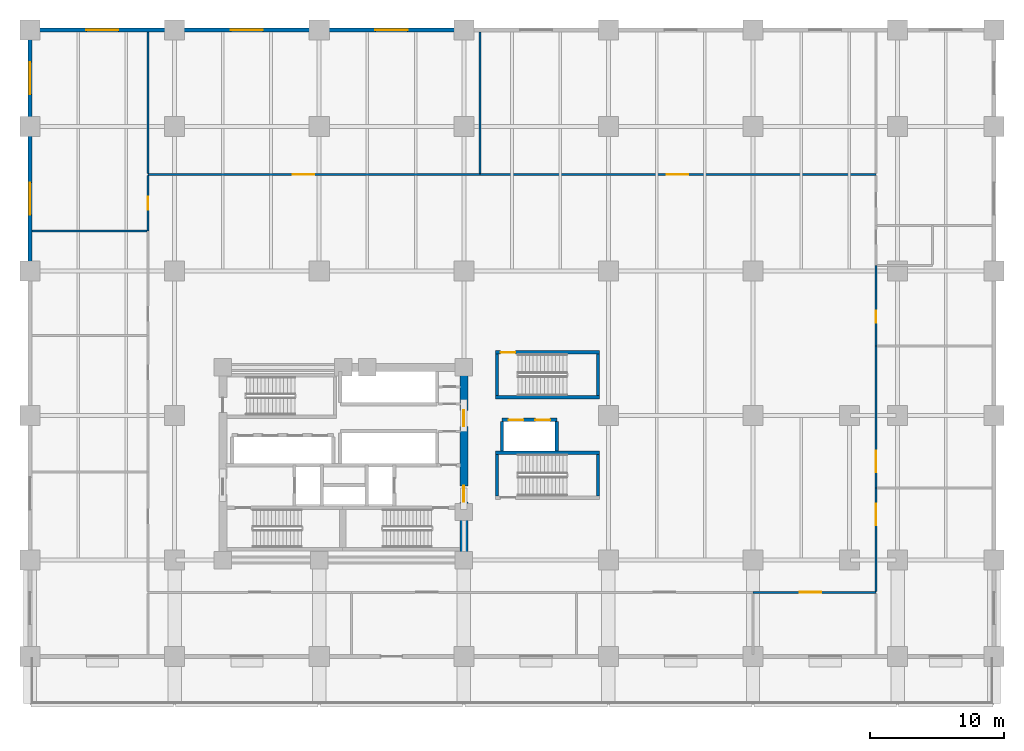
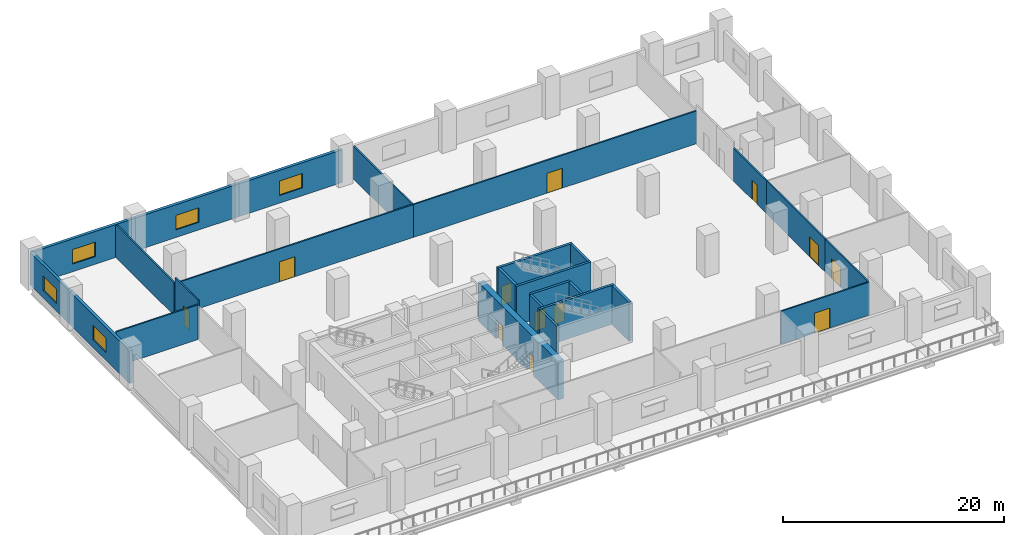
# One storey, part 5 of 11: 26 walls, 12 doors, 5 windows, 17 openings.
"""IFC4 building model written with IfcOpenShell, lengths in metres."""

from ifc_helpers import new_model, si_unit, direction, frame, frame_2d, origin, place, context, subcontext, project, spatial, rectangle, extrude, material, layer, layer_set, type_object, element, fill, save


model = new_model("IFC4")

# Units and contexts
model_context = context("Model", 3, precision=1e-05, world=origin(), true_north=direction((0.0, 1.0)))
body_context = subcontext(model_context, "Body", "Model", "MODEL_VIEW")
ifc_project = project(units=[si_unit("LENGTHUNIT", "METRE"), si_unit("AREAUNIT", "SQUARE_METRE"), si_unit("VOLUMEUNIT", "CUBIC_METRE"), si_unit("PLANEANGLEUNIT", "RADIAN"), si_unit("MASSUNIT", "GRAM", prefix="KILO")], contexts=[model_context])

# Site, building, storey
site_placement = place(None, origin())
site = spatial("IfcSite", under=ifc_project, at=site_placement, CompositionType="ELEMENT")
building_placement = place(site_placement, origin())
building = spatial("IfcBuilding", under=site, at=building_placement, Name="Solnavia Interchange Tower", CompositionType="ELEMENT")
storey_placement = place(building_placement, frame((0.0, 0.0, 14.800048828125)))
storey = spatial("IfcBuildingStorey", under=building, at=storey_placement, Name="L03", CompositionType="ELEMENT", Elevation=14.800048828125)

# Wall, opening, window
ifc_material_1 = material(Name="Concrete C40/50", Category="concrete")
ifc_layer_1 = layer(ifc_material_1, 0.300048828125)
ifc_layer_set_1 = layer_set([ifc_layer_1], Name="Concrete C40/50")
wall_type_1 = type_object("IfcWallType", Name="Wall-ExtSpandrel-300", PredefinedType="STANDARD", material=ifc_layer_set_1)
wall_1_placement = place(storey_placement, frame((0.0, 50.39990234375, 0.0), z_axis=(0.0, 0.0, 1.0), x_axis=(1.0, 0.0, 0.0)))
wall_1 = element("IfcWall", 1, at=wall_1_placement, inside=storey, type_object=wall_type_1, Name="EXW-L03-N01 North podium wall", PredefinedType="STANDARD", context=body_context, shape_type="SweptSolid", body=[
    extrude(rectangle(XDim=10.800048828125, YDim=0.300048828125, at=frame_2d((5.39990234375, 0.0))), origin(), (0.0, 0.0, 1.0), 3.6298828125),
])
opening_1_placement = place(wall_1_placement, frame((4.199951171875, 0.0, 0.85009765625)))
opening_1 = element("IfcOpeningElement", 2, at=opening_1_placement, cuts=wall_1, Name="Opening WIN-06", PredefinedType="OPENING", context=body_context, shape_type="SweptSolid", body=[
    extrude(rectangle(XDim=2.39990234375, YDim=1.60009765625, at=frame_2d((1.199951171875, 0.800048828125))), frame((0.0, 0.16015625, 0.0), z_axis=(0.0, -1.0, 0.0), x_axis=(1.0, 0.0, 0.0)), (0.0, 0.0, 1.0), 0.320068359375),
])
ifc_material_2 = material(Name="Thermal-Break Aluminium & Low-E Glass", Category="aluminium")
window_type = type_object("IfcWindowType", Name="Window-Podium-2400x1600", PartitioningType="SINGLE_PANEL", PredefinedType="WINDOW", material=ifc_material_2)
window_1_placement = place(opening_1_placement, origin())
window_1 = element("IfcWindow", 3, at=window_1_placement, inside=storey, type_object=window_type, Name="WIN-L03-N01 North podium window", OverallHeight=1.60009765625, OverallWidth=2.39990234375, PartitioningType="SINGLE_PANEL", PredefinedType="WINDOW", context=body_context, shape_type="SweptSolid", body=[
    extrude(rectangle(XDim=2.39990234375, YDim=1.60009765625, at=frame_2d((1.199951171875, 0.800048828125))), frame((0.0, 0.030029296875, 0.0), z_axis=(0.0, -1.0, 0.0), x_axis=(1.0, 0.0, 0.0)), (0.0, 0.0, 1.0), 0.06005859375),
])
fill(opening_1, window_1)

wall_2_placement = place(storey_placement, frame((10.800048828125, 50.39990234375, 0.0), z_axis=(0.0, 0.0, 1.0), x_axis=(1.0, 0.0, 0.0)))
wall_2 = element("IfcWall", 4, at=wall_2_placement, inside=storey, type_object=wall_type_1, Name="EXW-L03-N02 North podium wall", PredefinedType="STANDARD", context=body_context, shape_type="SweptSolid", body=[
    extrude(rectangle(XDim=10.800048828125, YDim=0.300048828125, at=frame_2d((5.39990234375, 0.0))), origin(), (0.0, 0.0, 1.0), 3.6298828125),
])
opening_2_placement = place(wall_2_placement, frame((4.199951171875, 0.0, 0.85009765625)))
opening_2 = element("IfcOpeningElement", 5, at=opening_2_placement, cuts=wall_2, Name="Opening WIN-06", PredefinedType="OPENING", context=body_context, shape_type="SweptSolid", body=[
    extrude(rectangle(XDim=2.39990234375, YDim=1.60009765625, at=frame_2d((1.199951171875, 0.800048828125))), frame((0.0, 0.16015625, 0.0), z_axis=(0.0, -1.0, 0.0), x_axis=(1.0, 0.0, 0.0)), (0.0, 0.0, 1.0), 0.320068359375),
])
window_2_placement = place(opening_2_placement, origin())
window_2 = element("IfcWindow", 6, at=window_2_placement, inside=storey, type_object=window_type, Name="WIN-L03-N02 North podium window", OverallHeight=1.60009765625, OverallWidth=2.39990234375, PartitioningType="SINGLE_PANEL", PredefinedType="WINDOW", context=body_context, shape_type="SweptSolid", body=[
    extrude(rectangle(XDim=2.39990234375, YDim=1.60009765625, at=frame_2d((1.199951171875, 0.800048828125))), frame((0.0, 0.030029296875, 0.0), z_axis=(0.0, -1.0, 0.0), x_axis=(1.0, 0.0, 0.0)), (0.0, 0.0, 1.0), 0.06005859375),
])
fill(opening_2, window_2)

wall_3_placement = place(storey_placement, frame((21.60009765625, 50.39990234375, 0.0), z_axis=(0.0, 0.0, 1.0), x_axis=(1.0, 0.0, 0.0)))
wall_3 = element("IfcWall", 7, at=wall_3_placement, inside=storey, type_object=wall_type_1, Name="EXW-L03-N03 North podium wall", PredefinedType="STANDARD", context=body_context, shape_type="SweptSolid", body=[
    extrude(rectangle(XDim=10.7998046875, YDim=0.300048828125, at=frame_2d((5.39990234375, 0.0))), origin(), (0.0, 0.0, 1.0), 3.6298828125),
])
opening_3_placement = place(wall_3_placement, frame((4.199951171875, 0.0, 0.85009765625)))
opening_3 = element("IfcOpeningElement", 8, at=opening_3_placement, cuts=wall_3, Name="Opening WIN-06", PredefinedType="OPENING", context=body_context, shape_type="SweptSolid", body=[
    extrude(rectangle(XDim=2.39990234375, YDim=1.60009765625, at=frame_2d((1.199951171875, 0.800048828125))), frame((0.0, 0.16015625, 0.0), z_axis=(0.0, -1.0, 0.0), x_axis=(1.0, 0.0, 0.0)), (0.0, 0.0, 1.0), 0.320068359375),
])
window_3_placement = place(opening_3_placement, origin())
window_3 = element("IfcWindow", 9, at=window_3_placement, inside=storey, type_object=window_type, Name="WIN-L03-N03 North podium window", OverallHeight=1.60009765625, OverallWidth=2.39990234375, PartitioningType="SINGLE_PANEL", PredefinedType="WINDOW", context=body_context, shape_type="SweptSolid", body=[
    extrude(rectangle(XDim=2.39990234375, YDim=1.60009765625, at=frame_2d((1.199951171875, 0.800048828125))), frame((0.0, 0.030029296875, 0.0), z_axis=(0.0, -1.0, 0.0), x_axis=(1.0, 0.0, 0.0)), (0.0, 0.0, 1.0), 0.06005859375),
])
fill(opening_3, window_3)

wall_4_placement = place(storey_placement, frame((0.0, 32.39990234375, 0.0), z_axis=(0.0, 0.0, 1.0), x_axis=(0.0, 1.0, 0.0)))
wall_4 = element("IfcWall", 10, at=wall_4_placement, inside=storey, type_object=wall_type_1, Name="EXW-L03-W04 West podium wall", PredefinedType="STANDARD", context=body_context, shape_type="SweptSolid", body=[
    extrude(rectangle(XDim=10.800048828125, YDim=0.300048828125, at=frame_2d((5.39990234375, 0.0))), origin(), (0.0, 0.0, 1.0), 3.6298828125),
])
opening_4_placement = place(wall_4_placement, frame((4.199951171875, 0.0, 0.85009765625)))
opening_4 = element("IfcOpeningElement", 11, at=opening_4_placement, cuts=wall_4, Name="Opening WIN-06", PredefinedType="OPENING", context=body_context, shape_type="SweptSolid", body=[
    extrude(rectangle(XDim=2.39990234375, YDim=1.60009765625, at=frame_2d((1.199951171875, 0.800048828125))), frame((0.0, 0.16015625, 0.0), z_axis=(0.0, -1.0, 0.0), x_axis=(1.0, 0.0, 0.0)), (0.0, 0.0, 1.0), 0.320068359375),
])
window_4_placement = place(opening_4_placement, origin())
window_4 = element("IfcWindow", 12, at=window_4_placement, inside=storey, type_object=window_type, Name="WIN-L03-W04 West podium window", OverallHeight=1.60009765625, OverallWidth=2.39990234375, PartitioningType="SINGLE_PANEL", PredefinedType="WINDOW", context=body_context, shape_type="SweptSolid", body=[
    extrude(rectangle(XDim=2.39990234375, YDim=1.60009765625, at=frame_2d((1.199951171875, 0.800048828125))), frame((0.0, 0.030029296875, 0.0), z_axis=(0.0, -1.0, 0.0), x_axis=(1.0, 0.0, 0.0)), (0.0, 0.0, 1.0), 0.06005859375),
])
fill(opening_4, window_4)

wall_5_placement = place(storey_placement, frame((0.0, 43.199951171875, 0.0), z_axis=(0.0, 0.0, 1.0), x_axis=(0.0, 1.0, 0.0)))
wall_5 = element("IfcWall", 13, at=wall_5_placement, inside=storey, type_object=wall_type_1, Name="EXW-L03-W05 West podium wall", PredefinedType="STANDARD", context=body_context, shape_type="SweptSolid", body=[
    extrude(rectangle(XDim=7.199951171875, YDim=0.300048828125, at=frame_2d((3.60009765625, 0.0))), origin(), (0.0, 0.0, 1.0), 3.6298828125),
])
opening_5_placement = place(wall_5_placement, frame((2.39990234375, 0.0, 0.85009765625)))
opening_5 = element("IfcOpeningElement", 14, at=opening_5_placement, cuts=wall_5, Name="Opening WIN-06", PredefinedType="OPENING", context=body_context, shape_type="SweptSolid", body=[
    extrude(rectangle(XDim=2.39990234375, YDim=1.60009765625, at=frame_2d((1.199951171875, 0.800048828125))), frame((0.0, 0.16015625, 0.0), z_axis=(0.0, -1.0, 0.0), x_axis=(1.0, 0.0, 0.0)), (0.0, 0.0, 1.0), 0.320068359375),
])
window_5_placement = place(opening_5_placement, origin())
window_5 = element("IfcWindow", 15, at=window_5_placement, inside=storey, type_object=window_type, Name="WIN-L03-W05 West podium window", OverallHeight=1.60009765625, OverallWidth=2.39990234375, PartitioningType="SINGLE_PANEL", PredefinedType="WINDOW", context=body_context, shape_type="SweptSolid", body=[
    extrude(rectangle(XDim=2.39990234375, YDim=1.60009765625, at=frame_2d((1.199951171875, 0.800048828125))), frame((0.0, 0.030029296875, 0.0), z_axis=(0.0, -1.0, 0.0), x_axis=(1.0, 0.0, 0.0)), (0.0, 0.0, 1.0), 0.06005859375),
])
fill(opening_5, window_5)

# Wall, opening, door
ifc_material_3 = material(Name="Gypsum Plasterboard & Steel Stud", Category="steel")
ifc_layer_2 = layer(ifc_material_3, 0.14990234375)
ifc_layer_set_2 = layer_set([ifc_layer_2], Name="Gypsum Plasterboard & Steel Stud")
wall_type_2 = type_object("IfcWallType", Name="Wall-Partition-150", PredefinedType="PARTITIONING", material=ifc_layer_set_2)
wall_6_placement = place(storey_placement, frame((54.0, 8.39990234375, 0.0), z_axis=(0.0, 0.0, 1.0), x_axis=(1.0, 0.0, 0.0)))
wall_6 = element("IfcWall", 16, at=wall_6_placement, inside=storey, type_object=wall_type_2, Name="PTW-L03-07 Interior partition wall", PredefinedType="PARTITIONING", context=body_context, shape_type="SweptSolid", body=[
    extrude(rectangle(XDim=9.199951171875, YDim=0.14990234375, at=frame_2d((4.60009765625, 0.0))), origin(), (0.0, 0.0, 1.0), 3.6298828125),
])
opening_6_placement = place(wall_6_placement, frame((3.48193359375, 0.0, 0.0)))
opening_6 = element("IfcOpeningElement", 17, at=opening_6_placement, cuts=wall_6, Name="Opening DR-08", PredefinedType="OPENING", context=body_context, shape_type="SweptSolid", body=[
    extrude(rectangle(XDim=1.60009765625, YDim=2.199951171875, at=frame_2d((0.800048828125, 1.10009765625))), frame((0.0, 0.0849609375, 0.0), z_axis=(0.0, -1.0, 0.0), x_axis=(1.0, 0.0, 0.0)), (0.0, 0.0, 1.0), 0.169921875),
])
ifc_material_4 = material(Name="Thermally Broken Aluminium & Toughened Glass", Category="aluminium")
door_type_1 = type_object("IfcDoorType", Name="Door-RetailDouble-1600x2200", OperationType="DOUBLE_DOOR_SINGLE_SWING", PredefinedType="DOOR", material=ifc_material_4)
door_1_placement = place(opening_6_placement, origin())
door_1 = element("IfcDoor", 18, at=door_1_placement, inside=storey, type_object=door_type_1, Name="DR-L03-04 Interior room door", OperationType="DOUBLE_DOOR_SINGLE_SWING", OverallHeight=2.199951171875, OverallWidth=1.60009765625, PredefinedType="DOOR", context=body_context, shape_type="SweptSolid", body=[
    extrude(rectangle(XDim=1.60009765625, YDim=2.199951171875, at=frame_2d((0.800048828125, 1.10009765625))), frame((0.0, 0.02490234375, 0.0), z_axis=(0.0, -1.0, 0.0), x_axis=(1.0, 0.0, 0.0)), (0.0, 0.0, 1.0), 0.050048828125),
])
fill(opening_6, door_1)

wall_7_placement = place(storey_placement, frame((8.800048828125, 39.60009765625, 0.0), z_axis=(0.0, 0.0, 1.0), x_axis=(1.0, 0.0, 0.0)))
wall_7 = element("IfcWall", 19, at=wall_7_placement, inside=storey, type_object=wall_type_2, Name="PTW-L03-08 Interior partition wall", PredefinedType="PARTITIONING", context=body_context, shape_type="SweptSolid", body=[
    extrude(rectangle(XDim=24.800048828125, YDim=0.14990234375, at=frame_2d((12.39990234375, 0.0))), origin(), (0.0, 0.0, 1.0), 3.6298828125),
])
opening_7_placement = place(wall_7_placement, frame((10.841064453125, 0.0, 0.0)))
opening_7 = element("IfcOpeningElement", 20, at=opening_7_placement, cuts=wall_7, Name="Opening DR-08", PredefinedType="OPENING", context=body_context, shape_type="SweptSolid", body=[
    extrude(rectangle(XDim=1.60009765625, YDim=2.199951171875, at=frame_2d((0.800048828125, 1.10009765625))), frame((0.0, 0.0849609375, 0.0), z_axis=(0.0, -1.0, 0.0), x_axis=(1.0, 0.0, 0.0)), (0.0, 0.0, 1.0), 0.169921875),
])
door_2_placement = place(opening_7_placement, origin())
door_2 = element("IfcDoor", 21, at=door_2_placement, inside=storey, type_object=door_type_1, Name="DR-L03-05 Interior room door", OperationType="DOUBLE_DOOR_SINGLE_SWING", OverallHeight=2.199951171875, OverallWidth=1.60009765625, PredefinedType="DOOR", context=body_context, shape_type="SweptSolid", body=[
    extrude(rectangle(XDim=1.60009765625, YDim=2.199951171875, at=frame_2d((0.800048828125, 1.10009765625))), frame((0.0, 0.02490234375, 0.0), z_axis=(0.0, -1.0, 0.0), x_axis=(1.0, 0.0, 0.0)), (0.0, 0.0, 1.0), 0.050048828125),
])
fill(opening_7, door_2)

# Wall
wall_8_placement = place(storey_placement, frame((33.60009765625, 39.678955078125, 0.0), z_axis=(0.0, 0.0, 1.0), x_axis=(0.0, 1.0, 0.0)))
element("IfcWall", 22, at=wall_8_placement, inside=storey, type_object=wall_type_2, Name="PTW-L03-09 Interior partition wall", PredefinedType="PARTITIONING", context=body_context, shape_type="SweptSolid", body=[
    extrude(rectangle(XDim=10.567138671875, YDim=0.14990234375, at=frame_2d((5.28369140625, 0.0))), origin(), (0.0, 0.0, 1.0), 3.6298828125),
])

# Wall, opening, door
wall_9_placement = place(storey_placement, frame((33.60009765625, 39.60009765625, 0.0), z_axis=(0.0, 0.0, 1.0), x_axis=(1.0, 0.0, 0.0)))
wall_9 = element("IfcWall", 23, at=wall_9_placement, inside=storey, type_object=wall_type_2, Name="PTW-L03-10 Interior partition wall", PredefinedType="PARTITIONING", context=body_context, shape_type="SweptSolid", body=[
    extrude(rectangle(XDim=29.599853515625, YDim=0.14990234375, at=frame_2d((14.7998046875, 0.0))), origin(), (0.0, 0.0, 1.0), 3.6298828125),
])
opening_8_placement = place(wall_9_placement, frame((13.9599609375, 0.0, 0.0)))
opening_8 = element("IfcOpeningElement", 24, at=opening_8_placement, cuts=wall_9, Name="Opening DR-08", PredefinedType="OPENING", context=body_context, shape_type="SweptSolid", body=[
    extrude(rectangle(XDim=1.60009765625, YDim=2.199951171875, at=frame_2d((0.800048828125, 1.10009765625))), frame((0.0, 0.0849609375, 0.0), z_axis=(0.0, -1.0, 0.0), x_axis=(1.0, 0.0, 0.0)), (0.0, 0.0, 1.0), 0.169921875),
])
door_3_placement = place(opening_8_placement, origin())
door_3 = element("IfcDoor", 25, at=door_3_placement, inside=storey, type_object=door_type_1, Name="DR-L03-06 Interior room door", OperationType="DOUBLE_DOOR_SINGLE_SWING", OverallHeight=2.199951171875, OverallWidth=1.60009765625, PredefinedType="DOOR", context=body_context, shape_type="SweptSolid", body=[
    extrude(rectangle(XDim=1.60009765625, YDim=2.199951171875, at=frame_2d((0.800048828125, 1.10009765625))), frame((0.0, 0.02490234375, 0.0), z_axis=(0.0, -1.0, 0.0), x_axis=(1.0, 0.0, 0.0)), (0.0, 0.0, 1.0), 0.050048828125),
])
fill(opening_8, door_3)

# Wall
wall_10_placement = place(storey_placement, frame((0.154052734375, 35.39990234375, 0.0), z_axis=(0.0, 0.0, 1.0), x_axis=(1.0, 0.0, 0.0)))
element("IfcWall", 26, at=wall_10_placement, inside=storey, type_object=wall_type_2, Name="PTW-L03-17 Interior partition wall", PredefinedType="PARTITIONING", context=body_context, shape_type="SweptSolid", body=[
    extrude(rectangle(XDim=8.56689453125, YDim=0.14990234375, at=frame_2d((4.283447265625, 0.0))), origin(), (0.0, 0.0, 1.0), 3.829833984375),
])

# Wall, opening, door
wall_11_placement = place(storey_placement, frame((8.800048828125, 35.39990234375, 0.0), z_axis=(0.0, 0.0, 1.0), x_axis=(0.0, 1.0, 0.0)))
wall_11 = element("IfcWall", 27, at=wall_11_placement, inside=storey, type_object=wall_type_2, Name="PTW-L03-18 Interior partition wall", PredefinedType="PARTITIONING", context=body_context, shape_type="SweptSolid", body=[
    extrude(rectangle(XDim=4.12109375, YDim=0.14990234375, at=frame_2d((2.060546875, 0.0))), origin(), (0.0, 0.0, 1.0), 4.284912109375),
])
opening_9_placement = place(wall_11_placement, frame((1.56103515625, 0.0, 0.0)))
opening_9 = element("IfcOpeningElement", 28, at=opening_9_placement, cuts=wall_11, Name="Opening DR-07", PredefinedType="OPENING", context=body_context, shape_type="SweptSolid", body=[
    extrude(rectangle(XDim=1.0, YDim=2.10009765625, at=frame_2d((0.5, 1.050048828125))), frame((0.0, 0.0849609375, 0.0), z_axis=(0.0, -1.0, 0.0), x_axis=(1.0, 0.0, 0.0)), (0.0, 0.0, 1.0), 0.169921875),
])
ifc_material_5 = material(Name="Timber & Acoustic Glazed Office Door", Category="wood")
door_type_2 = type_object("IfcDoorType", Name="Door-Office-1000x2100", OperationType="SINGLE_SWING_RIGHT", PredefinedType="DOOR", material=ifc_material_5)
door_4_placement = place(opening_9_placement, origin())
door_4 = element("IfcDoor", 29, at=door_4_placement, inside=storey, type_object=door_type_2, Name="DR-L03-10 Interior room door", OperationType="SINGLE_SWING_RIGHT", OverallHeight=2.10009765625, OverallWidth=1.0, PredefinedType="DOOR", context=body_context, shape_type="SweptSolid", body=[
    extrude(rectangle(XDim=1.0, YDim=2.10009765625, at=frame_2d((0.5, 1.050048828125))), frame((0.0, 0.02490234375, 0.0), z_axis=(0.0, -1.0, 0.0), x_axis=(1.0, 0.0, 0.0)), (0.0, 0.0, 1.0), 0.050048828125),
])
fill(opening_9, door_4)

# Wall
wall_12_placement = place(storey_placement, frame((8.800048828125, 39.678955078125, 0.0), z_axis=(0.0, 0.0, 1.0), x_axis=(0.0, 1.0, 0.0)))
element("IfcWall", 30, at=wall_12_placement, inside=storey, type_object=wall_type_2, Name="PTW-L03-19 Interior partition wall", PredefinedType="PARTITIONING", context=body_context, shape_type="SweptSolid", body=[
    extrude(rectangle(XDim=10.567138671875, YDim=0.14990234375, at=frame_2d((5.28369140625, 0.0))), origin(), (0.0, 0.0, 1.0), 3.6298828125),
])

# Wall, opening, door
wall_13_placement = place(storey_placement, frame((63.199951171875, 8.47900390625, 0.0), z_axis=(0.0, 0.0, 1.0), x_axis=(0.0, 1.0, 0.0)))
wall_13 = element("IfcWall", 31, at=wall_13_placement, inside=storey, type_object=wall_type_2, Name="PTW-L03-21 Interior partition wall", PredefinedType="PARTITIONING", context=body_context, shape_type="SweptSolid", body=[
    extrude(rectangle(XDim=7.720947265625, YDim=0.14990234375, at=frame_2d((3.8603515625, 0.0))), origin(), (0.0, 0.0, 1.0), 3.6298828125),
])
opening_10_placement = place(wall_13_placement, frame((4.94091796875, 0.0, 0.0)))
opening_10 = element("IfcOpeningElement", 32, at=opening_10_placement, cuts=wall_13, Name="Opening DR-08", PredefinedType="OPENING", context=body_context, shape_type="SweptSolid", body=[
    extrude(rectangle(XDim=1.60009765625, YDim=2.199951171875, at=frame_2d((0.800048828125, 1.10009765625))), frame((0.0, 0.0849609375, 0.0), z_axis=(0.0, -1.0, 0.0), x_axis=(1.0, 0.0, 0.0)), (0.0, 0.0, 1.0), 0.169921875),
])
door_5_placement = place(opening_10_placement, origin())
door_5 = element("IfcDoor", 33, at=door_5_placement, inside=storey, type_object=door_type_1, Name="DR-L03-11 Interior room door", OperationType="DOUBLE_DOOR_SINGLE_SWING", OverallHeight=2.199951171875, OverallWidth=1.60009765625, PredefinedType="DOOR", context=body_context, shape_type="SweptSolid", body=[
    extrude(rectangle(XDim=1.60009765625, YDim=2.199951171875, at=frame_2d((0.800048828125, 1.10009765625))), frame((0.0, 0.02490234375, 0.0), z_axis=(0.0, -1.0, 0.0), x_axis=(1.0, 0.0, 0.0)), (0.0, 0.0, 1.0), 0.050048828125),
])
fill(opening_10, door_5)

wall_14_placement = place(storey_placement, frame((63.199951171875, 16.199951171875, 0.0), z_axis=(0.0, 0.0, 1.0), x_axis=(0.0, 1.0, 0.0)))
wall_14 = element("IfcWall", 34, at=wall_14_placement, inside=storey, type_object=wall_type_2, Name="PTW-L03-23 Interior partition wall", PredefinedType="PARTITIONING", context=body_context, shape_type="SweptSolid", body=[
    extrude(rectangle(XDim=10.60009765625, YDim=0.14990234375, at=frame_2d((5.300048828125, 0.0))), origin(), (0.0, 0.0, 1.0), 3.6298828125),
])
opening_11_placement = place(wall_14_placement, frame((1.172119140625, 0.0, 0.0)))
opening_11 = element("IfcOpeningElement", 35, at=opening_11_placement, cuts=wall_14, Name="Opening DR-08", PredefinedType="OPENING", context=body_context, shape_type="SweptSolid", body=[
    extrude(rectangle(XDim=1.60009765625, YDim=2.199951171875, at=frame_2d((0.800048828125, 1.10009765625))), frame((0.0, 0.0849609375, 0.0), z_axis=(0.0, -1.0, 0.0), x_axis=(1.0, 0.0, 0.0)), (0.0, 0.0, 1.0), 0.169921875),
])
door_6_placement = place(opening_11_placement, origin())
door_6 = element("IfcDoor", 36, at=door_6_placement, inside=storey, type_object=door_type_1, Name="DR-L03-12 Interior room door", OperationType="DOUBLE_DOOR_SINGLE_SWING", OverallHeight=2.199951171875, OverallWidth=1.60009765625, PredefinedType="DOOR", context=body_context, shape_type="SweptSolid", body=[
    extrude(rectangle(XDim=1.60009765625, YDim=2.199951171875, at=frame_2d((0.800048828125, 1.10009765625))), frame((0.0, 0.02490234375, 0.0), z_axis=(0.0, -1.0, 0.0), x_axis=(1.0, 0.0, 0.0)), (0.0, 0.0, 1.0), 0.050048828125),
])
fill(opening_11, door_6)

# Walls
ifc_layer_3 = layer(ifc_material_1, 0.25)
ifc_layer_set_3 = layer_set([ifc_layer_3], Name="Concrete C40/50")
wall_type_3 = type_object("IfcWallType", Name="Wall-ShaftCore-250", PredefinedType="SHEAR", material=ifc_layer_set_3)
wall_15_placement = place(storey_placement, frame((34.75, 18.824951171875, 0.0), z_axis=(0.0, 0.0, 1.0), x_axis=(1.0, 0.0, 0.0)))
element("IfcWall", 37, at=wall_15_placement, inside=storey, type_object=wall_type_3, Name="SHW-L03-STP1N Core shear wall", PredefinedType="SHEAR", context=body_context, shape_type="SweptSolid", body=[
    extrude(rectangle(XDim=7.800048828125, YDim=0.25, at=frame_2d((3.89990234375, 0.0))), origin(), (0.0, 0.0, 1.0), 4.300048828125),
])
for number, where, z_axis, x_axis, name in (
    (38, (34.875, 15.60009765625, 0.0), (0.0, 0.0, 1.0), (0.0, 1.0, 0.0), "SHW-L03-STP1W Core shear wall"),
    (39, (42.425048828125, 15.60009765625, 0.0), (0.0, 0.0, 1.0), (0.0, 1.0, 0.0), "SHW-L03-STP1E Core shear wall"),
):
    element("IfcWall", number, at=place(storey_placement, frame(where, z_axis=z_axis, x_axis=x_axis)), inside=storey, type_object=wall_type_3, Name=name, PredefinedType="SHEAR", context=body_context, shape_type="SweptSolid", body=[
        extrude(rectangle(XDim=3.099853515625, YDim=0.25, at=frame_2d((1.5498046875, 0.0))), origin(), (0.0, 0.0, 1.0), 4.300048828125),
    ])
wall_16_placement = place(storey_placement, frame((34.75, 22.97509765625, 0.0), z_axis=(0.0, 0.0, 1.0), x_axis=(1.0, 0.0, 0.0)))
element("IfcWall", 40, at=wall_16_placement, inside=storey, type_object=wall_type_3, Name="SHW-L03-STP2S Core shear wall", PredefinedType="SHEAR", context=body_context, shape_type="SweptSolid", body=[
    extrude(rectangle(XDim=7.800048828125, YDim=0.25, at=frame_2d((3.89990234375, 0.0))), origin(), (0.0, 0.0, 1.0), 4.300048828125),
])

# Wall, opening, door
wall_17_placement = place(storey_placement, frame((34.75, 26.324951171875, 0.0), z_axis=(0.0, 0.0, 1.0), x_axis=(1.0, 0.0, 0.0)))
wall_17 = element("IfcWall", 41, at=wall_17_placement, inside=storey, type_object=wall_type_3, Name="SHW-L03-STP2N Core shear wall", PredefinedType="SHEAR", context=body_context, shape_type="SweptSolid", body=[
    extrude(rectangle(XDim=7.800048828125, YDim=0.25, at=frame_2d((3.89990234375, 0.0))), origin(), (0.0, 0.0, 1.0), 4.300048828125),
])
opening_12_placement = place(wall_17_placement, frame((0.405029296875, 0.0, 0.0)))
opening_12 = element("IfcOpeningElement", 42, at=opening_12_placement, cuts=wall_17, Name="Opening DR-01", PredefinedType="OPENING", context=body_context, shape_type="SweptSolid", body=[
    extrude(rectangle(XDim=1.10009765625, YDim=2.10009765625, at=frame_2d((0.550048828125, 1.050048828125))), frame((0.0, 0.135009765625, 0.0), z_axis=(0.0, -1.0, 0.0), x_axis=(1.0, 0.0, 0.0)), (0.0, 0.0, 1.0), 0.27001953125),
])
ifc_material_6 = material(Name="Steel Fire-Rated Leaf & Frame", Category="steel")
door_type_3 = type_object("IfcDoorType", Name="Door-StairFire-1100x2100", OperationType="SINGLE_SWING_LEFT", PredefinedType="DOOR", material=ifc_material_6)
door_7_placement = place(opening_12_placement, origin())
door_7 = element("IfcDoor", 43, at=door_7_placement, inside=storey, type_object=door_type_3, Name="DR-L03-STP2 Core fire door", OperationType="SINGLE_SWING_RIGHT", OverallHeight=2.10009765625, OverallWidth=1.10009765625, PredefinedType="DOOR", context=body_context, shape_type="SweptSolid", body=[
    extrude(rectangle(XDim=1.10009765625, YDim=2.10009765625, at=frame_2d((0.550048828125, 1.050048828125))), frame((0.0, 0.02490234375, 0.0), z_axis=(0.0, -1.0, 0.0), x_axis=(1.0, 0.0, 0.0)), (0.0, 0.0, 1.0), 0.050048828125),
])
fill(opening_12, door_7)

# Walls
for number, where, z_axis, x_axis, name in (
    (44, (34.875, 23.10009765625, 0.0), (0.0, 0.0, 1.0), (0.0, 1.0, 0.0), "SHW-L03-STP2W Core shear wall"),
    (45, (42.425048828125, 23.10009765625, 0.0), (0.0, 0.0, 1.0), (0.0, 1.0, 0.0), "SHW-L03-STP2E Core shear wall"),
):
    element("IfcWall", number, at=place(storey_placement, frame(where, z_axis=z_axis, x_axis=x_axis)), inside=storey, type_object=wall_type_3, Name=name, PredefinedType="SHEAR", context=body_context, shape_type="SweptSolid", body=[
        extrude(rectangle(XDim=3.099853515625, YDim=0.25, at=frame_2d((1.5498046875, 0.0))), origin(), (0.0, 0.0, 1.0), 4.300048828125),
    ])

# Wall, openings, doors
ifc_layer_4 = layer(ifc_material_1, 0.25)
ifc_layer_set_4 = layer_set([ifc_layer_4], Name="Concrete C40/50")
wall_type_4 = type_object("IfcWallType", Name="Wall-ShaftPart-250", PredefinedType="PARTITIONING", material=ifc_layer_set_4)
wall_18_placement = place(storey_placement, frame((35.25, 21.280029296875, 0.0), z_axis=(0.0, 0.0, 1.0), x_axis=(1.0, 0.0, 0.0)))
wall_18 = element("IfcWall", 46, at=wall_18_placement, inside=storey, type_object=wall_type_4, Name="SHW-L03-PLN Core shaft wall", PredefinedType="PARTITIONING", context=body_context, shape_type="SweptSolid", body=[
    extrude(rectangle(XDim=4.10009765625, YDim=0.25, at=frame_2d((2.050048828125, 0.0))), origin(), (0.0, 0.0, 1.0), 4.284912109375),
])
opening_13_placement = place(wall_18_placement, frame((0.5, 0.0, 0.0)))
opening_13 = element("IfcOpeningElement", 47, at=opening_13_placement, cuts=wall_18, Name="Opening LD-01", PredefinedType="OPENING", context=body_context, shape_type="SweptSolid", body=[
    extrude(rectangle(XDim=1.10009765625, YDim=2.10009765625, at=frame_2d((0.550048828125, 1.050048828125))), frame((0.0, 0.135009765625, 0.0), z_axis=(0.0, -1.0, 0.0), x_axis=(1.0, 0.0, 0.0)), (0.0, 0.0, 1.0), 0.27001953125),
])
opening_14_placement = place(wall_18_placement, frame((2.5, 0.0, 0.0)))
opening_14 = element("IfcOpeningElement", 48, at=opening_14_placement, cuts=wall_18, Name="Opening LD-01", PredefinedType="OPENING", context=body_context, shape_type="SweptSolid", body=[
    extrude(rectangle(XDim=1.10009765625, YDim=2.10009765625, at=frame_2d((0.550048828125, 1.050048828125))), frame((0.0, 0.135009765625, 0.0), z_axis=(0.0, -1.0, 0.0), x_axis=(1.0, 0.0, 0.0)), (0.0, 0.0, 1.0), 0.27001953125),
])
ifc_material_7 = material(Name="Brushed Stainless Steel Sliding Door", Category="steel")
door_type_4 = type_object("IfcDoorType", Name="Door-LiftLanding-1100x2100", OperationType="SLIDING_TO_LEFT", PredefinedType="DOOR", material=ifc_material_7)
door_8_placement = place(opening_13_placement, origin())
door_8 = element("IfcDoor", 49, at=door_8_placement, inside=storey, type_object=door_type_4, Name="LD-L03-PL-1 Lift landing sliding door", OperationType="SLIDING_TO_LEFT", OverallHeight=2.10009765625, OverallWidth=1.10009765625, PredefinedType="DOOR", context=body_context, shape_type="SweptSolid", body=[
    extrude(rectangle(XDim=1.10009765625, YDim=2.10009765625, at=frame_2d((0.550048828125, 1.050048828125))), frame((0.0, 0.02490234375, 0.0), z_axis=(0.0, -1.0, 0.0), x_axis=(1.0, 0.0, 0.0)), (0.0, 0.0, 1.0), 0.050048828125),
])
fill(opening_13, door_8)
door_9_placement = place(opening_14_placement, origin())
door_9 = element("IfcDoor", 50, at=door_9_placement, inside=storey, type_object=door_type_4, Name="LD-L03-PL-2 Lift landing sliding door", OperationType="SLIDING_TO_LEFT", OverallHeight=2.10009765625, OverallWidth=1.10009765625, PredefinedType="DOOR", context=body_context, shape_type="SweptSolid", body=[
    extrude(rectangle(XDim=1.10009765625, YDim=2.10009765625, at=frame_2d((0.550048828125, 1.050048828125))), frame((0.0, 0.02490234375, 0.0), z_axis=(0.0, -1.0, 0.0), x_axis=(1.0, 0.0, 0.0)), (0.0, 0.0, 1.0), 0.050048828125),
])
fill(opening_14, door_9)

# Walls
for number, where, z_axis, x_axis, name in (
    (51, (35.25, 18.949951171875, 0.0), (0.0, 0.0, 1.0), (0.0, 1.0, 0.0), "SHW-L03-PLW Core shaft wall"),
    (52, (39.35009765625, 18.949951171875, 0.0), (0.0, 0.0, 1.0), (0.0, 1.0, 0.0), "SHW-L03-PLE Core shaft wall"),
):
    element("IfcWall", number, at=place(storey_placement, frame(where, z_axis=z_axis, x_axis=x_axis)), inside=storey, type_object=wall_type_4, Name=name, PredefinedType="PARTITIONING", context=body_context, shape_type="SweptSolid", body=[
        extrude(rectangle(XDim=2.205078125, YDim=0.25, at=frame_2d((1.1025390625, 0.0))), origin(), (0.0, 0.0, 1.0), 4.284912109375),
    ])

# Wall, openings, doors
ifc_material_8 = material(Name="Concrete C60/75", Category="concrete")
ifc_layer_5 = layer(ifc_material_8, 0.60009765625)
ifc_layer_set_5 = layer_set([ifc_layer_5], Name="Concrete C60/75")
wall_type_5 = type_object("IfcWallType", Name="Wall-ShearCore-600", PredefinedType="SHEAR", material=ifc_layer_set_5)
wall_19_placement = place(storey_placement, frame((32.39990234375, 10.800048828125, 0.0), z_axis=(0.0, 0.0, 1.0), x_axis=(0.0, 1.0, 0.0)))
wall_19 = element("IfcWall", 53, at=wall_19_placement, inside=storey, type_object=wall_type_5, Name="CRW-L03-E Core shear wall", PredefinedType="SHEAR", context=body_context, shape_type="SweptSolid", body=[
    extrude(rectangle(XDim=14.39990234375, YDim=0.60009765625, at=frame_2d((7.199951171875, 0.0))), origin(), (0.0, 0.0, 1.0), 4.300048828125),
])
opening_15_placement = place(wall_19_placement, frame((4.35009765625, 0.0, 0.0)))
opening_15 = element("IfcOpeningElement", 54, at=opening_15_placement, cuts=wall_19, Name="Opening DR-02", PredefinedType="OPENING", context=body_context, shape_type="SweptSolid", body=[
    extrude(rectangle(XDim=1.199951171875, YDim=2.10009765625, at=frame_2d((0.60009765625, 1.050048828125))), frame((0.0, 0.31005859375, 0.0), z_axis=(0.0, -1.0, 0.0), x_axis=(1.0, 0.0, 0.0)), (0.0, 0.0, 1.0), 0.6201171875),
])
opening_16_placement = place(wall_19_placement, frame((10.0, 0.0, 0.0)))
opening_16 = element("IfcOpeningElement", 55, at=opening_16_placement, cuts=wall_19, Name="Opening DR-02", PredefinedType="OPENING", context=body_context, shape_type="SweptSolid", body=[
    extrude(rectangle(XDim=1.199951171875, YDim=2.10009765625, at=frame_2d((0.60009765625, 1.050048828125))), frame((0.0, 0.31005859375, 0.0), z_axis=(0.0, -1.0, 0.0), x_axis=(1.0, 0.0, 0.0)), (0.0, 0.0, 1.0), 0.6201171875),
])
ifc_material_9 = material(Name="Steel Fire-Rated Vision-Panel Door", Category="steel")
door_type_5 = type_object("IfcDoorType", Name="Door-LobbyFire-1200x2100", OperationType="SINGLE_SWING_RIGHT", PredefinedType="DOOR", material=ifc_material_9)
door_10_placement = place(opening_15_placement, origin())
door_10 = element("IfcDoor", 56, at=door_10_placement, inside=storey, type_object=door_type_5, Name="DR-L03-FFL2E Core fire door", OperationType="SINGLE_SWING_LEFT", OverallHeight=2.10009765625, OverallWidth=1.199951171875, PredefinedType="DOOR", context=body_context, shape_type="SweptSolid", body=[
    extrude(rectangle(XDim=1.199951171875, YDim=2.10009765625, at=frame_2d((0.60009765625, 1.050048828125))), frame((0.0, 0.02490234375, 0.0), z_axis=(0.0, -1.0, 0.0), x_axis=(1.0, 0.0, 0.0)), (0.0, 0.0, 1.0), 0.050048828125),
])
fill(opening_15, door_10)
door_11_placement = place(opening_16_placement, origin())
door_11 = element("IfcDoor", 57, at=door_11_placement, inside=storey, type_object=door_type_5, Name="DR-L03-LLE Core fire door", OperationType="SINGLE_SWING_RIGHT", OverallHeight=2.10009765625, OverallWidth=1.199951171875, PredefinedType="DOOR", context=body_context, shape_type="SweptSolid", body=[
    extrude(rectangle(XDim=1.199951171875, YDim=2.10009765625, at=frame_2d((0.60009765625, 1.050048828125))), frame((0.0, 0.02490234375, 0.0), z_axis=(0.0, -1.0, 0.0), x_axis=(1.0, 0.0, 0.0)), (0.0, 0.0, 1.0), 0.050048828125),
])
fill(opening_16, door_11)

# Wall, opening, door
ifc_material_10 = material(Name="Moisture-Resistant Gypsum & Steel Stud", Category="steel")
ifc_layer_6 = layer(ifc_material_10, 0.14990234375)
ifc_layer_set_6 = layer_set([ifc_layer_6], Name="Moisture-Resistant Gypsum & Steel Stud")
wall_type_6 = type_object("IfcWallType", Name="Wall-WetRoom-150", PredefinedType="PARTITIONING", material=ifc_layer_set_6)
wall_20_placement = place(storey_placement, frame((63.199951171875, 26.800048828125, 0.0), z_axis=(0.0, 0.0, 1.0), x_axis=(0.0, 1.0, 0.0)))
wall_20 = element("IfcWall", 58, at=wall_20_placement, inside=storey, type_object=wall_type_6, Name="PTW-L03-25 Interior partition wall", PredefinedType="PARTITIONING", context=body_context, shape_type="SweptSolid", body=[
    extrude(rectangle(XDim=6.0, YDim=0.14990234375, at=frame_2d((3.0, 0.0))), origin(), (0.0, 0.0, 1.0), 3.6298828125),
])
opening_17_placement = place(wall_20_placement, frame((1.720947265625, 0.0, 0.0)))
opening_17 = element("IfcOpeningElement", 59, at=opening_17_placement, cuts=wall_20, Name="Opening DR-09", PredefinedType="OPENING", context=body_context, shape_type="SweptSolid", body=[
    extrude(rectangle(XDim=0.89990234375, YDim=2.10009765625, at=frame_2d((0.449951171875, 1.050048828125))), frame((0.0, 0.0849609375, 0.0), z_axis=(0.0, -1.0, 0.0), x_axis=(1.0, 0.0, 0.0)), (0.0, 0.0, 1.0), 0.169921875),
])
ifc_material_11 = material(Name="Engineered Oak Veneer Door", Category="wood")
door_type_6 = type_object("IfcDoorType", Name="Door-Internal-900x2100", OperationType="SINGLE_SWING_LEFT", PredefinedType="DOOR", material=ifc_material_11)
door_12_placement = place(opening_17_placement, origin())
door_12 = element("IfcDoor", 60, at=door_12_placement, inside=storey, type_object=door_type_6, Name="DR-L03-13 Interior room door", OperationType="SINGLE_SWING_LEFT", OverallHeight=2.10009765625, OverallWidth=0.89990234375, PredefinedType="DOOR", context=body_context, shape_type="SweptSolid", body=[
    extrude(rectangle(XDim=0.89990234375, YDim=2.10009765625, at=frame_2d((0.449951171875, 1.050048828125))), frame((0.0, 0.02490234375, 0.0), z_axis=(0.0, -1.0, 0.0), x_axis=(1.0, 0.0, 0.0)), (0.0, 0.0, 1.0), 0.050048828125),
])
fill(opening_17, door_12)

save(model, "model.ifc")
